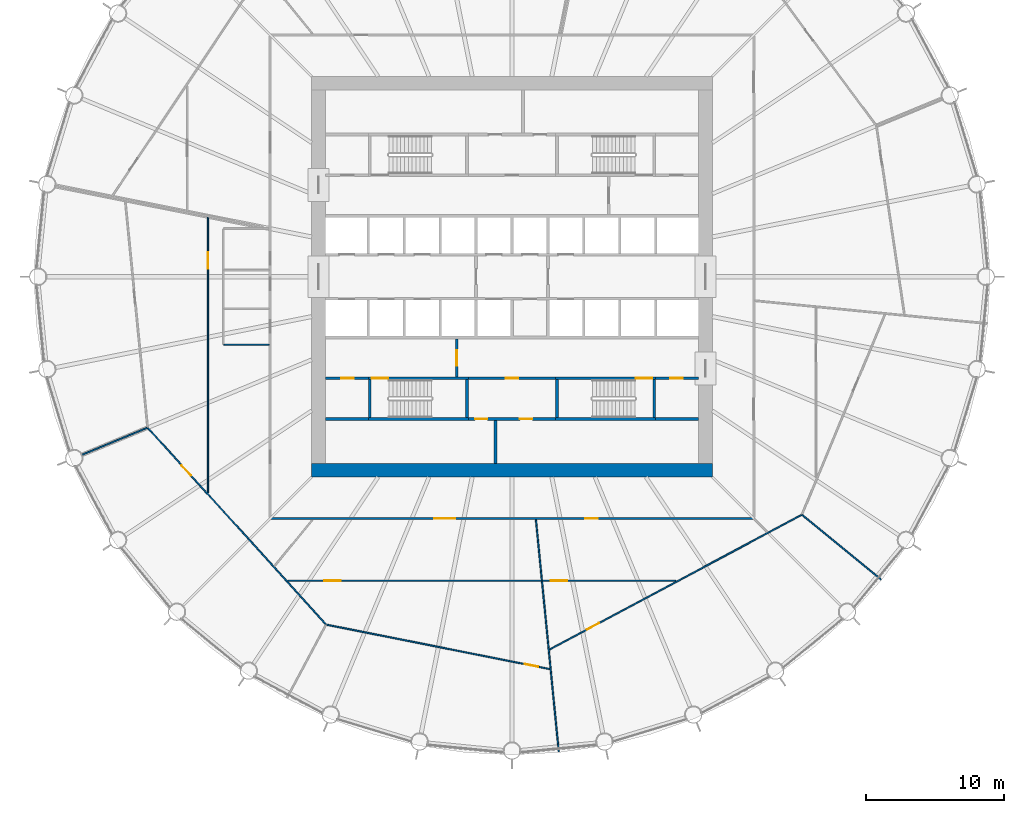
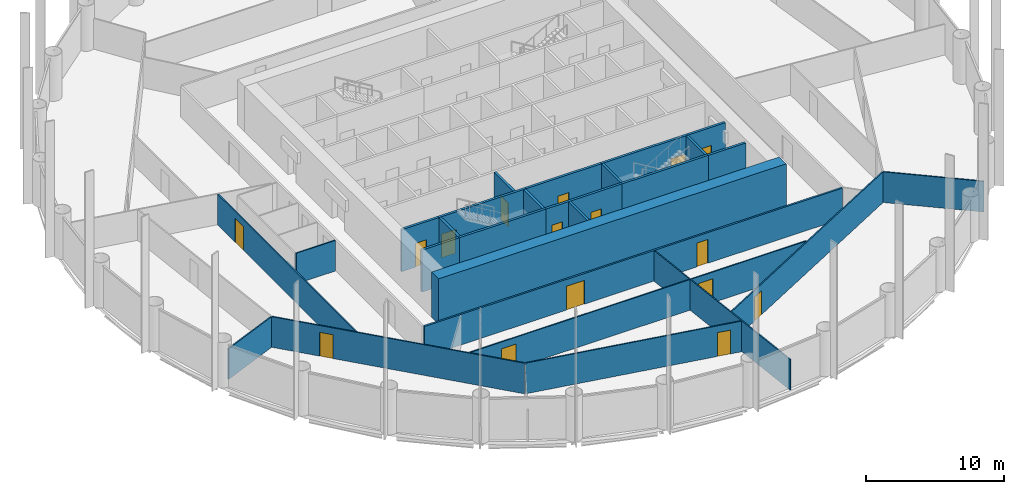
# One storey, part 4 of 10: 28 walls, 16 doors, 16 openings.
"""IFC4 building model written with IfcOpenShell, lengths in metres."""

import ifcopenshell
import ifcopenshell.guid

model = None  # the IFC model being written
_history = None  # IfcOwnerHistory: only IFC2X3 demands one
_inside = {}  # id of a spatial element -> (the spatial element, [elements in it])
_under = {}  # id of a project, library or spatial element -> (it, [spatial elements below it])
_declared = {}  # id of a project -> (the project, [libraries it declares])
_typed = {}  # id of a type object -> (the type object, [elements of that type])
_made_of = {}  # id of a material, layer set ... -> (it, [elements and type objects made of it])


def new_model(schema):
    """Start an empty IFC model of exactly this schema.

    Asked for "IFC4X3", IfcOpenShell would pick the latest addendum, in which some entities
    have other attributes; the version numbers below select the first issue.
    IFC2X3 requires an IfcOwnerHistory on every rooted entity: one is made here for all.
    """
    global model, _history
    if schema == "IFC4X3":
        model = ifcopenshell.file(schema_version=(4, 3, 0, 0))
    else:
        model = ifcopenshell.file(schema=schema)
    _inside.clear()
    _under.clear()
    _declared.clear()
    _typed.clear()
    _made_of.clear()
    _history = None
    if model.schema == "IFC2X3":
        org = make("IfcOrganization", Name="unknown")
        user = make(
            "IfcPersonAndOrganization",
            ThePerson=make("IfcPerson", FamilyName="unknown"),
            TheOrganization=org,
        )
        app = make(
            "IfcApplication",
            ApplicationDeveloper=org,
            Version="unknown",
            ApplicationFullName="unknown",
            ApplicationIdentifier="unknown",
        )
        _history = make(
            "IfcOwnerHistory",
            OwningUser=user,
            OwningApplication=app,
            ChangeAction="ADDED",
            CreationDate=0,
        )
    return model


def make(cls, **values):
    """One entity of the class cls with the attributes given. An attribute that is None is left unset."""
    return model.create_entity(
        cls, **{name: value for name, value in values.items() if value is not None}
    )


def rooted(cls, **values):
    """An entity with a GlobalId (a new one), such as an element, a storey or a relation."""
    return make(cls, GlobalId=ifcopenshell.guid.new(), OwnerHistory=_history, **values)


def si_unit(unit_type, name, prefix=None):
    """IfcSIUnit, for example si_unit("LENGTHUNIT", "METRE", prefix="MILLI")."""
    return make("IfcSIUnit", UnitType=unit_type, Prefix=prefix, Name=name)


def assignment(units):
    """IfcUnitAssignment: the units of a project."""
    return None if units is None else make("IfcUnitAssignment", Units=units)


def point(xyz):
    """IfcCartesianPoint."""
    return None if xyz is None else make("IfcCartesianPoint", Coordinates=xyz)


def direction(xyz):
    """IfcDirection."""
    return None if xyz is None else make("IfcDirection", DirectionRatios=xyz)


def frame(location, z_axis=None, x_axis=None):
    """IfcAxis2Placement3D, a coordinate frame: its origin and axes. An axis left out is left unset."""
    return make(
        "IfcAxis2Placement3D",
        Location=point(location),
        Axis=direction(z_axis),
        RefDirection=direction(x_axis),
    )


def frame_2d(location, x_axis=None):
    """IfcAxis2Placement2D, a coordinate frame in the plane: its origin and x axis."""
    return make(
        "IfcAxis2Placement2D", Location=point(location), RefDirection=direction(x_axis)
    )


def origin():
    """The frame at (0, 0, 0) with its axes left unset."""
    return frame((0.0, 0.0, 0.0))


def place(relative_to, where):
    """IfcLocalPlacement: puts the frame where relative to a parent placement (None: the world)."""
    return make(
        "IfcLocalPlacement", PlacementRelTo=relative_to, RelativePlacement=where
    )


def context(
    kind, dimensions, precision=None, world=None, true_north=None, identifier=None
):
    """IfcGeometricRepresentationContext, for example the 3D "Model" context."""
    return make(
        "IfcGeometricRepresentationContext",
        ContextIdentifier=identifier,
        ContextType=kind,
        CoordinateSpaceDimension=dimensions,
        Precision=precision,
        WorldCoordinateSystem=world,
        TrueNorth=true_north,
    )


def subcontext(parent, identifier, kind, view, scale=None):
    """IfcGeometricRepresentationSubContext, for example "Body" below "Model"."""
    return make(
        "IfcGeometricRepresentationSubContext",
        ContextIdentifier=identifier,
        ContextType=kind,
        ParentContext=parent,
        TargetScale=scale,
        TargetView=view,
    )


def project(units=None, contexts=None):
    """IfcProject with its units and contexts."""
    return rooted(
        "IfcProject",
        Name="project",
        RepresentationContexts=contexts,
        UnitsInContext=assignment(units),
    )


def spatial(cls, under=None, at=None, **own):
    """A site, building, storey or space (cls), placed at a placement, below another one or the project."""
    s = rooted(cls, ObjectPlacement=at, **own)
    if under is not None:
        _under.setdefault(under.id(), (under, []))[1].append(s)
    return s


def polyline(points):
    """IfcPolyline through the points."""
    return make("IfcPolyline", Points=[point(p) for p in points])


def profile(cls, at=None, kind="AREA", **sizes):
    """A parametric profile (cls). Its sizes go by their IFC names, for example OverallWidth=200.0."""
    return make(cls, ProfileType=kind, Position=at, **sizes)


def rectangle(**sizes):
    """IfcRectangleProfileDef."""
    return profile("IfcRectangleProfileDef", **sizes)


def outline(outer, holes=None, kind="AREA"):
    """IfcArbitraryClosedProfileDef: a profile drawn as a closed curve; with holes, ...WithVoids."""
    if holes is None:
        return make("IfcArbitraryClosedProfileDef", ProfileType=kind, OuterCurve=outer)
    return make(
        "IfcArbitraryProfileDefWithVoids",
        ProfileType=kind,
        OuterCurve=outer,
        InnerCurves=holes,
    )


def extrude(swept, where, along, depth):
    """IfcExtrudedAreaSolid: the profile swept, set in the frame where, extruded along a direction by depth."""
    return make(
        "IfcExtrudedAreaSolid",
        SweptArea=swept,
        Position=where,
        ExtrudedDirection=direction(along),
        Depth=depth,
    )


def shape(context_of_items, identifier, shape_type, items):
    """IfcShapeRepresentation: the items that make up one representation, for example the "Body"."""
    return make(
        "IfcShapeRepresentation",
        ContextOfItems=context_of_items,
        RepresentationIdentifier=identifier,
        RepresentationType=shape_type,
        Items=items,
    )


def material(Name=None, Category=None):
    """IfcMaterial."""
    return make("IfcMaterial", Name=Name, Category=Category)


def layer(
    of_material, thickness, ventilated=None, Name=None, Category=None, Priority=None
):
    """IfcMaterialLayer: one layer of a wall or slab, of a material (None: an air gap)."""
    return make(
        "IfcMaterialLayer",
        Material=of_material,
        LayerThickness=thickness,
        IsVentilated=ventilated,
        Name=Name,
        Category=Category,
        Priority=Priority,
    )


def layer_set(layers, Name=None):
    """IfcMaterialLayerSet."""
    return make("IfcMaterialLayerSet", MaterialLayers=layers, LayerSetName=Name)


def made_of(thing, what):
    """Note that an element or type object is made of a material, layer set ...; save() writes the relation."""
    if what is not None:
        _made_of.setdefault(what.id(), (what, []))[1].append(thing)
    return thing


def type_object(cls, material=None, **own):
    """A type object (cls), such as IfcWallType, which elements share."""
    return made_of(rooted(cls, **own), material)


def element(
    cls,
    number,
    at=None,
    inside=None,
    cuts=None,
    type_object=None,
    material=None,
    context=None,
    identifier="Body",
    shape_type=None,
    held_by="IfcProductDefinitionShape",
    body=None,
    shapes=None,
    **own,
):
    """One element of the class cls, such as IfcWall. Its Tag is "e" and its number.

    at: its placement. inside: the storey or other place that contains it. cuts: it is an
    opening in that element (IfcRelVoidsElement). A single representation is given by context,
    identifier, shape_type and body (its items); several are given by shapes. held_by: the class
    of the entity that holds the representations. save() writes the other relations.
    """
    e = rooted(cls, Tag="e%d" % number, ObjectPlacement=at, **own)
    if body is not None:
        shapes = [shape(context, identifier, shape_type, body)]
    if shapes is not None:
        e.Representation = make(held_by, Representations=shapes)
    if inside is not None:
        _inside.setdefault(inside.id(), (inside, []))[1].append(e)
    if cuts is not None:
        rooted(
            "IfcRelVoidsElement", RelatingBuildingElement=cuts, RelatedOpeningElement=e
        )
    if type_object is not None:
        _typed.setdefault(type_object.id(), (type_object, []))[1].append(e)
    return made_of(e, material)


def fill(opening, filler):
    """IfcRelFillsElement: the door or window that sits in an opening."""
    return rooted(
        "IfcRelFillsElement",
        RelatingOpeningElement=opening,
        RelatedBuildingElement=filler,
    )


def aggregate(whole, parts):
    """IfcRelAggregates: a whole, such as a stair, and the parts it consists of."""
    return rooted("IfcRelAggregates", RelatingObject=whole, RelatedObjects=parts)


def save(model, path):
    """Write the relations noted so far, then the file.

    IfcRelAggregates (storeys below a building ...), IfcRelContainedInSpatialStructure (elements
    in a storey), IfcRelDefinesByType, IfcRelAssociatesMaterial and IfcRelDeclares: one each for
    every whole, place, type object, material and project.
    """
    for whole, parts in _under.values():
        aggregate(whole, parts)
    for where, things in _inside.values():
        rooted(
            "IfcRelContainedInSpatialStructure",
            RelatedElements=things,
            RelatingStructure=where,
        )
    for kind, things in _typed.values():
        rooted("IfcRelDefinesByType", RelatedObjects=things, RelatingType=kind)
    for what, things in _made_of.values():
        rooted("IfcRelAssociatesMaterial", RelatedObjects=things, RelatingMaterial=what)
    for by, libraries in _declared.values():
        rooted("IfcRelDeclares", RelatingContext=by, RelatedDefinitions=libraries)
    model.write(path)


model = new_model("IFC4")

# Units and contexts
model_context = context("Model", 3, precision=1e-05, world=origin(), true_north=direction((0.0, 1.0)))
body_context = subcontext(model_context, "Body", "Model", "MODEL_VIEW")
ifc_project = project(units=[si_unit("LENGTHUNIT", "METRE"), si_unit("AREAUNIT", "SQUARE_METRE"), si_unit("VOLUMEUNIT", "CUBIC_METRE"), si_unit("PLANEANGLEUNIT", "RADIAN"), si_unit("MASSUNIT", "GRAM", prefix="KILO")], contexts=[model_context])

# Site, building, storey
site_placement = place(None, origin())
site = spatial("IfcSite", under=ifc_project, at=site_placement, CompositionType="ELEMENT")
building_placement = place(site_placement, origin())
building = spatial("IfcBuilding", under=site, at=building_placement, Name="Corvane Civic Tower", CompositionType="ELEMENT")
storey_placement = place(building_placement, frame((0.0, 0.0, 106.5)))
storey = spatial("IfcBuildingStorey", under=building, at=storey_placement, Name="L24", CompositionType="ELEMENT", Elevation=106.5)

# Wall
ifc_material_1 = material(Name="Concrete C70/85", Category="concrete")
ifc_layer_1 = layer(ifc_material_1, 1.0)
ifc_layer_set_1 = layer_set([ifc_layer_1], Name="Concrete C70/85")
wall_type_1 = type_object("IfcWallType", Name="CORE WALL 1000 C70/85", PredefinedType="SHEAR", material=ifc_layer_set_1)
wall_1_placement = place(storey_placement, frame((-14.5, -14.0, 0.0), z_axis=(0.0, 0.0, 1.0), x_axis=(1.0, 0.0, 0.0)))
element("IfcWall", 1, at=wall_1_placement, inside=storey, type_object=wall_type_1, Name="W-L24-core-S", PredefinedType="SHEAR", context=body_context, shape_type="SweptSolid", body=[
    extrude(rectangle(XDim=29.0, YDim=1.0, at=frame_2d((14.5, 0.0))), origin(), (0.0, 0.0, 1.0), 4.0),
])

# Wall, openings, doors
ifc_material_2 = material(Name="Concrete C30/37", Category="concrete")
ifc_layer_2 = layer(ifc_material_2, 0.199951171875)
ifc_layer_set_2 = layer_set([ifc_layer_2], Name="Concrete C30/37")
wall_type_2 = type_object("IfcWallType", Name="CR-WALL-200", PredefinedType="PARTITIONING", material=ifc_layer_set_2)
wall_2_placement = place(storey_placement, frame((-3.14990234375, -10.300048828125, 0.0), z_axis=(0.0, 0.0, 1.0), x_axis=(1.0, 0.0, 0.0)))
wall_2 = element("IfcWall", 2, at=wall_2_placement, inside=storey, type_object=wall_type_2, Name="L24 partition wall", PredefinedType="PARTITIONING", context=body_context, shape_type="SweptSolid", body=[
    extrude(rectangle(XDim=6.2998046875, YDim=0.199951171875, at=frame_2d((3.14990234375, 0.0))), origin(), (0.0, 0.0, 1.0), 3.699951171875),
])
opening_1_placement = place(wall_2_placement, frame((0.47509765625, 0.0, 0.0)))
opening_1 = element("IfcOpeningElement", 3, at=opening_1_placement, cuts=wall_2, Name="Opening L24.C06", PredefinedType="OPENING", context=body_context, shape_type="SweptSolid", body=[
    extrude(rectangle(XDim=0.89990234375, YDim=2.10009765625, at=frame_2d((0.449951171875, 1.050048828125))), frame((0.0, 0.10986328125, 0.0), z_axis=(0.0, -1.0, 0.0), x_axis=(1.0, 0.0, 0.0)), (0.0, 0.0, 1.0), 0.219970703125),
])
opening_2_placement = place(wall_2_placement, frame((3.72509765625, 0.0, 0.0)))
opening_2 = element("IfcOpeningElement", 4, at=opening_2_placement, cuts=wall_2, Name="Opening L24.C07", PredefinedType="OPENING", context=body_context, shape_type="SweptSolid", body=[
    extrude(rectangle(XDim=0.89990234375, YDim=2.10009765625, at=frame_2d((0.449951171875, 1.050048828125))), frame((0.0, 0.10986328125, 0.0), z_axis=(0.0, -1.0, 0.0), x_axis=(1.0, 0.0, 0.0)), (0.0, 0.0, 1.0), 0.219970703125),
])
ifc_material_3 = material(Name="Steel fire door leaf", Category="steel")
door_type_1 = type_object("IfcDoorType", Name="CR-DOOR-900", OperationType="SINGLE_SWING_LEFT", PredefinedType="DOOR", material=ifc_material_3)
door_1_placement = place(opening_1_placement, origin())
door_1 = element("IfcDoor", 5, at=door_1_placement, inside=storey, type_object=door_type_1, Name="L24 door", OperationType="SINGLE_SWING_LEFT", OverallHeight=2.10009765625, OverallWidth=0.89990234375, PredefinedType="DOOR", context=body_context, shape_type="SweptSolid", body=[
    extrude(rectangle(XDim=0.89990234375, YDim=2.10009765625, at=frame_2d((0.449951171875, 1.050048828125))), frame((0.0, 0.02490234375, 0.0), z_axis=(0.0, -1.0, 0.0), x_axis=(1.0, 0.0, 0.0)), (0.0, 0.0, 1.0), 0.050048828125),
])
fill(opening_1, door_1)
door_2_placement = place(opening_2_placement, origin())
door_2 = element("IfcDoor", 6, at=door_2_placement, inside=storey, type_object=door_type_1, Name="L24 door", OperationType="SINGLE_SWING_LEFT", OverallHeight=2.10009765625, OverallWidth=0.89990234375, PredefinedType="DOOR", context=body_context, shape_type="SweptSolid", body=[
    extrude(rectangle(XDim=0.89990234375, YDim=2.10009765625, at=frame_2d((0.449951171875, 1.050048828125))), frame((0.0, 0.02490234375, 0.0), z_axis=(0.0, -1.0, 0.0), x_axis=(1.0, 0.0, 0.0)), (0.0, 0.0, 1.0), 0.050048828125),
])
fill(opening_2, door_2)

# Wall, opening, door
wall_3_placement = place(storey_placement, frame((-13.5, -7.35009765625, 0.0), z_axis=(0.0, 0.0, 1.0), x_axis=(1.0, 0.0, 0.0)))
wall_3 = element("IfcWall", 7, at=wall_3_placement, inside=storey, type_object=wall_type_2, Name="L24 core partition wall", PredefinedType="PARTITIONING", context=body_context, shape_type="SweptSolid", body=[
    extrude(rectangle(XDim=3.10009765625, YDim=0.199951171875, at=frame_2d((1.550048828125, 0.0))), origin(), (0.0, 0.0, 1.0), 3.699951171875),
])
opening_3_placement = place(wall_3_placement, frame((1.14990234375, 0.0, 0.0)))
opening_3 = element("IfcOpeningElement", 8, at=opening_3_placement, cuts=wall_3, Name="Opening L24.C09", PredefinedType="OPENING", context=body_context, shape_type="SweptSolid", body=[
    extrude(rectangle(XDim=0.89990234375, YDim=2.10009765625, at=frame_2d((0.449951171875, 1.050048828125))), frame((0.0, 0.10986328125, 0.0), z_axis=(0.0, -1.0, 0.0), x_axis=(1.0, 0.0, 0.0)), (0.0, 0.0, 1.0), 0.219970703125),
])
door_3_placement = place(opening_3_placement, origin())
door_3 = element("IfcDoor", 9, at=door_3_placement, inside=storey, type_object=door_type_1, Name="L24 door", OperationType="SINGLE_SWING_LEFT", OverallHeight=2.10009765625, OverallWidth=0.89990234375, PredefinedType="DOOR", context=body_context, shape_type="SweptSolid", body=[
    extrude(rectangle(XDim=0.89990234375, YDim=2.10009765625, at=frame_2d((0.449951171875, 1.050048828125))), frame((0.0, 0.02490234375, 0.0), z_axis=(0.0, -1.0, 0.0), x_axis=(1.0, 0.0, 0.0)), (0.0, 0.0, 1.0), 0.050048828125),
])
fill(opening_3, door_3)

wall_4_placement = place(storey_placement, frame((-3.14990234375, -7.35009765625, 0.0), z_axis=(0.0, 0.0, 1.0), x_axis=(1.0, 0.0, 0.0)))
wall_4 = element("IfcWall", 10, at=wall_4_placement, inside=storey, type_object=wall_type_2, Name="L24 core partition wall", PredefinedType="PARTITIONING", context=body_context, shape_type="SweptSolid", body=[
    extrude(rectangle(XDim=6.2998046875, YDim=0.199951171875, at=frame_2d((3.14990234375, 0.0))), origin(), (0.0, 0.0, 1.0), 3.699951171875),
])
opening_4_placement = place(wall_4_placement, frame((2.699951171875, 0.0, 0.0)))
opening_4 = element("IfcOpeningElement", 11, at=opening_4_placement, cuts=wall_4, Name="Opening L24.C03", PredefinedType="OPENING", context=body_context, shape_type="SweptSolid", body=[
    extrude(rectangle(XDim=0.89990234375, YDim=2.10009765625, at=frame_2d((0.449951171875, 1.050048828125))), frame((0.0, 0.10986328125, 0.0), z_axis=(0.0, -1.0, 0.0), x_axis=(1.0, 0.0, 0.0)), (0.0, 0.0, 1.0), 0.219970703125),
])
door_4_placement = place(opening_4_placement, origin())
door_4 = element("IfcDoor", 12, at=door_4_placement, inside=storey, type_object=door_type_1, Name="L24 door", OperationType="SINGLE_SWING_LEFT", OverallHeight=2.10009765625, OverallWidth=0.89990234375, PredefinedType="DOOR", context=body_context, shape_type="SweptSolid", body=[
    extrude(rectangle(XDim=0.89990234375, YDim=2.10009765625, at=frame_2d((0.449951171875, 1.050048828125))), frame((0.0, 0.02490234375, 0.0), z_axis=(0.0, -1.0, 0.0), x_axis=(1.0, 0.0, 0.0)), (0.0, 0.0, 1.0), 0.050048828125),
])
fill(opening_4, door_4)

wall_5_placement = place(storey_placement, frame((10.39990234375, -7.35009765625, 0.0), z_axis=(0.0, 0.0, 1.0), x_axis=(1.0, 0.0, 0.0)))
wall_5 = element("IfcWall", 13, at=wall_5_placement, inside=storey, type_object=wall_type_2, Name="L24 core partition wall", PredefinedType="PARTITIONING", context=body_context, shape_type="SweptSolid", body=[
    extrude(rectangle(XDim=3.10009765625, YDim=0.199951171875, at=frame_2d((1.550048828125, 0.0))), origin(), (0.0, 0.0, 1.0), 3.699951171875),
])
opening_5_placement = place(wall_5_placement, frame((1.050048828125, 0.0, 0.0)))
opening_5 = element("IfcOpeningElement", 14, at=opening_5_placement, cuts=wall_5, Name="Opening L24.C11", PredefinedType="OPENING", context=body_context, shape_type="SweptSolid", body=[
    extrude(rectangle(XDim=0.89990234375, YDim=2.10009765625, at=frame_2d((0.449951171875, 1.050048828125))), frame((0.0, 0.10986328125, 0.0), z_axis=(0.0, -1.0, 0.0), x_axis=(1.0, 0.0, 0.0)), (0.0, 0.0, 1.0), 0.219970703125),
])
door_5_placement = place(opening_5_placement, origin())
door_5 = element("IfcDoor", 15, at=door_5_placement, inside=storey, type_object=door_type_1, Name="L24 door", OperationType="SINGLE_SWING_LEFT", OverallHeight=2.10009765625, OverallWidth=0.89990234375, PredefinedType="DOOR", context=body_context, shape_type="SweptSolid", body=[
    extrude(rectangle(XDim=0.89990234375, YDim=2.10009765625, at=frame_2d((0.449951171875, 1.050048828125))), frame((0.0, 0.02490234375, 0.0), z_axis=(0.0, -1.0, 0.0), x_axis=(1.0, 0.0, 0.0)), (0.0, 0.0, 1.0), 0.050048828125),
])
fill(opening_5, door_5)

wall_6_placement = place(storey_placement, frame((-4.0, -7.25, 0.0), z_axis=(0.0, 0.0, 1.0), x_axis=(0.0, 1.0, 0.0)))
wall_6 = element("IfcWall", 16, at=wall_6_placement, inside=storey, type_object=wall_type_2, Name="L24 core partition wall", PredefinedType="PARTITIONING", context=body_context, shape_type="SweptSolid", body=[
    extrude(rectangle(XDim=2.75, YDim=0.199951171875, at=frame_2d((1.375, 0.0))), origin(), (0.0, 0.0, 1.0), 3.699951171875),
])
opening_6_placement = place(wall_6_placement, frame((0.824951171875, 0.0, 0.0)))
opening_6 = element("IfcOpeningElement", 17, at=opening_6_placement, cuts=wall_6, Name="Opening L24.C19", PredefinedType="OPENING", context=body_context, shape_type="SweptSolid", body=[
    extrude(rectangle(XDim=1.10009765625, YDim=2.10009765625, at=frame_2d((0.550048828125, 1.050048828125))), frame((0.0, 0.10986328125, 0.0), z_axis=(0.0, -1.0, 0.0), x_axis=(1.0, 0.0, 0.0)), (0.0, 0.0, 1.0), 0.219970703125),
])
ifc_material_4 = material(Name="Steel fire door leaf", Category="steel")
door_type_2 = type_object("IfcDoorType", Name="CR-DOOR-FFL-1100", OperationType="SINGLE_SWING_LEFT", PredefinedType="DOOR", material=ifc_material_4)
door_6_placement = place(opening_6_placement, origin())
door_6 = element("IfcDoor", 18, at=door_6_placement, inside=storey, type_object=door_type_2, Name="L24 lobby door", OperationType="SINGLE_SWING_LEFT", OverallHeight=2.10009765625, OverallWidth=1.10009765625, PredefinedType="DOOR", context=body_context, shape_type="SweptSolid", body=[
    extrude(rectangle(XDim=1.10009765625, YDim=2.10009765625, at=frame_2d((0.550048828125, 1.050048828125))), frame((0.0, 0.02490234375, 0.0), z_axis=(0.0, -1.0, 0.0), x_axis=(1.0, 0.0, 0.0)), (0.0, 0.0, 1.0), 0.050048828125),
])
fill(opening_6, door_6)

# Walls
wall_7_placement = place(storey_placement, origin())
element("IfcWall", 19, at=wall_7_placement, inside=storey, type_object=wall_type_2, Name="L24 core partition wall", PredefinedType="PARTITIONING", context=body_context, shape_type="SweptSolid", body=[
    extrude(outline(polyline([(-10.39990234375, -10.39990234375), (-13.5, -10.39990234375), (-13.5, -10.199951171875), (-10.39990234375, -10.199951171875), (-10.39990234375, -10.39990234375)])), origin(), (0.0, 0.0, 1.0), 3.699951171875),
])
wall_8_placement = place(storey_placement, origin())
element("IfcWall", 20, at=wall_8_placement, inside=storey, type_object=wall_type_2, Name="L24 core partition wall", PredefinedType="PARTITIONING", context=body_context, shape_type="SweptSolid", body=[
    extrude(outline(polyline([(-1.10009765625, -10.39990234375), (-1.10009765625, -13.5), (-1.300048828125, -13.5), (-1.300048828125, -10.39990234375), (-1.10009765625, -10.39990234375)])), origin(), (0.0, 0.0, 1.0), 3.699951171875),
])
wall_9_placement = place(storey_placement, origin())
element("IfcWall", 21, at=wall_9_placement, inside=storey, type_object=wall_type_2, Name="L24 core partition wall", PredefinedType="PARTITIONING", context=body_context, shape_type="SweptSolid", body=[
    extrude(outline(polyline([(13.5, -10.39990234375), (10.39990234375, -10.39990234375), (10.39990234375, -10.199951171875), (13.5, -10.199951171875), (13.5, -10.39990234375)])), origin(), (0.0, 0.0, 1.0), 3.699951171875),
])
ifc_material_5 = material(Name="Plasterboard")
ifc_layer_3 = layer(ifc_material_5, 0.10009765625)
ifc_layer_set_3 = layer_set([ifc_layer_3], Name="Plasterboard")
wall_type_3 = type_object("IfcWallType", Name="Partition 100 plasterboard on studs", PredefinedType="PARTITIONING", material=ifc_layer_set_3)
wall_10_placement = place(storey_placement, frame((2.172119140625, -22.054931640625, 0.0), z_axis=(0.0, 0.0, 1.0), x_axis=(0.09802265645, -0.995184183366, 0.0)))
element("IfcWall", 22, at=wall_10_placement, inside=storey, type_object=wall_type_3, Name="Partition L24.001", PredefinedType="PARTITIONING", context=body_context, shape_type="SweptSolid", body=[
    extrude(rectangle(XDim=12.388427734375, YDim=0.10009765625, at=frame_2d((6.1943359375, 0.0))), origin(), (0.0, 0.0, 1.0), 2.699951171875),
])

# Wall, opening, door
wall_11_placement = place(storey_placement, frame((-13.418701171875, -25.1796875, 0.0), z_axis=(0.0, 0.0, 1.0), x_axis=(0.980783722721, -0.195098152849, 0.0)))
wall_11 = element("IfcWall", 23, at=wall_11_placement, inside=storey, type_object=wall_type_3, Name="Partition L24.003", PredefinedType="PARTITIONING", context=body_context, shape_type="SweptSolid", body=[
    extrude(rectangle(XDim=16.466796875, YDim=0.10009765625, at=frame_2d((8.2333984375, 0.0))), origin(), (0.0, 0.0, 1.0), 2.699951171875),
])
opening_7_placement = place(wall_11_placement, frame((14.620361328125, 0.0, 0.0)))
opening_7 = element("IfcOpeningElement", 24, at=opening_7_placement, cuts=wall_11, Name="Opening L24.011", PredefinedType="OPENING", context=body_context, shape_type="SweptSolid", body=[
    extrude(rectangle(XDim=1.0, YDim=2.10009765625, at=frame_2d((0.5, 1.050048828125))), frame((0.0, 0.06005859375, 0.0), z_axis=(0.0, -1.0, 0.0), x_axis=(1.0, 0.0, 0.0)), (0.0, 0.0, 1.0), 0.1201171875),
])
ifc_material_6 = material(Name="Timber", Category="wood")
door_type_3 = type_object("IfcDoorType", Name="Single door 1000", OperationType="NOTDEFINED", PredefinedType="DOOR", material=ifc_material_6)
door_7_placement = place(opening_7_placement, frame((1.0, 0.0, 0.0), z_axis=(0.0, 0.0, 1.0), x_axis=(-1.0, 0.0, 0.0)))
door_7 = element("IfcDoor", 25, at=door_7_placement, inside=storey, type_object=door_type_3, Name="Door L24.011", OperationType="SINGLE_SWING_RIGHT", OverallHeight=2.10009765625, OverallWidth=1.0, PredefinedType="DOOR", context=body_context, shape_type="SweptSolid", body=[
    extrude(rectangle(XDim=1.0, YDim=2.10009765625, at=frame_2d((0.5, 1.050048828125))), frame((0.0, 0.02490234375, 0.0), z_axis=(0.0, -1.0, 0.0), x_axis=(1.0, 0.0, 0.0)), (0.0, 0.0, 1.0), 0.050048828125),
])
fill(opening_7, door_7)

wall_12_placement = place(storey_placement, frame((2.726318359375, -26.975341796875, 0.0), z_axis=(0.0, 0.0, 1.0), x_axis=(0.881924809463, 0.471390104323, 0.0)))
wall_12 = element("IfcWall", 26, at=wall_12_placement, inside=storey, type_object=wall_type_3, Name="Partition L24.004", PredefinedType="PARTITIONING", context=body_context, shape_type="SweptSolid", body=[
    extrude(rectangle(XDim=20.664794921875, YDim=0.10009765625, at=frame_2d((10.33251953125, 0.0))), origin(), (0.0, 0.0, 1.0), 2.699951171875),
])
opening_8_placement = place(wall_12_placement, frame((3.060302734375, 0.0, 0.0)))
opening_8 = element("IfcOpeningElement", 27, at=opening_8_placement, cuts=wall_12, Name="Opening L24.006", PredefinedType="OPENING", context=body_context, shape_type="SweptSolid", body=[
    extrude(rectangle(XDim=1.0, YDim=2.10009765625, at=frame_2d((0.5, 1.050048828125))), frame((0.0, 0.06005859375, 0.0), z_axis=(0.0, -1.0, 0.0), x_axis=(1.0, 0.0, 0.0)), (0.0, 0.0, 1.0), 0.1201171875),
])
door_8_placement = place(opening_8_placement, frame((1.0, 0.0, 0.0), z_axis=(0.0, 0.0, 1.0), x_axis=(-1.0, 0.0, 0.0)))
door_8 = element("IfcDoor", 28, at=door_8_placement, inside=storey, type_object=door_type_3, Name="Door L24.006", OperationType="SINGLE_SWING_LEFT", OverallHeight=2.10009765625, OverallWidth=1.0, PredefinedType="DOOR", context=body_context, shape_type="SweptSolid", body=[
    extrude(rectangle(XDim=1.0, YDim=2.10009765625, at=frame_2d((0.5, 1.050048828125))), frame((0.0, 0.02490234375, 0.0), z_axis=(0.0, -1.0, 0.0), x_axis=(1.0, 0.0, 0.0)), (0.0, 0.0, 1.0), 0.050048828125),
])
fill(opening_8, door_8)

wall_13_placement = place(storey_placement, frame((-26.3466796875, -10.94921875, 0.0), z_axis=(0.0, 0.0, 1.0), x_axis=(0.671566645521, -0.740944154862, 0.0)))
wall_13 = element("IfcWall", 29, at=wall_13_placement, inside=storey, type_object=wall_type_3, Name="Partition L24.005", PredefinedType="PARTITIONING", context=body_context, shape_type="SweptSolid", body=[
    extrude(rectangle(XDim=19.1611328125, YDim=0.10009765625, at=frame_2d((9.58056640625, 0.0))), origin(), (0.0, 0.0, 1.0), 2.699951171875),
])
opening_9_placement = place(wall_13_placement, frame((3.641357421875, 0.0, 0.0)))
opening_9 = element("IfcOpeningElement", 30, at=opening_9_placement, cuts=wall_13, Name="Opening L24.012", PredefinedType="OPENING", context=body_context, shape_type="SweptSolid", body=[
    extrude(rectangle(XDim=1.0, YDim=2.10009765625, at=frame_2d((0.5, 1.050048828125))), frame((0.0, 0.06005859375, 0.0), z_axis=(0.0, -1.0, 0.0), x_axis=(1.0, 0.0, 0.0)), (0.0, 0.0, 1.0), 0.1201171875),
])
door_9_placement = place(opening_9_placement, frame((1.0, 0.0, 0.0), z_axis=(0.0, 0.0, 1.0), x_axis=(-1.0, 0.0, 0.0)))
door_9 = element("IfcDoor", 31, at=door_9_placement, inside=storey, type_object=door_type_3, Name="Door L24.012", OperationType="SINGLE_SWING_LEFT", OverallHeight=2.10009765625, OverallWidth=1.0, PredefinedType="DOOR", context=body_context, shape_type="SweptSolid", body=[
    extrude(rectangle(XDim=1.0, YDim=2.10009765625, at=frame_2d((0.5, 1.050048828125))), frame((0.0, 0.02490234375, 0.0), z_axis=(0.0, -1.0, 0.0), x_axis=(1.0, 0.0, 0.0)), (0.0, 0.0, 1.0), 0.050048828125),
])
fill(opening_9, door_9)

# Wall, openings, doors
wall_14_placement = place(storey_placement, frame((-16.2177734375, -22.0, 0.0), z_axis=(0.0, 0.0, 1.0), x_axis=(1.0, 0.0, 0.0)))
wall_14 = element("IfcWall", 32, at=wall_14_placement, inside=storey, type_object=wall_type_3, Name="Partition L24.006", PredefinedType="PARTITIONING", context=body_context, shape_type="SweptSolid", body=[
    extrude(rectangle(XDim=28.052734375, YDim=0.10009765625, at=frame_2d((14.0263671875, 0.0))), origin(), (0.0, 0.0, 1.0), 2.699951171875),
])
opening_10_placement = place(wall_14_placement, frame((19.031494140625, 0.0, 0.0)))
opening_10 = element("IfcOpeningElement", 33, at=opening_10_placement, cuts=wall_14, Name="Opening L24.007", PredefinedType="OPENING", context=body_context, shape_type="SweptSolid", body=[
    extrude(rectangle(XDim=1.199951171875, YDim=2.10009765625, at=frame_2d((0.60009765625, 1.050048828125))), frame((0.0, 0.06005859375, 0.0), z_axis=(0.0, -1.0, 0.0), x_axis=(1.0, 0.0, 0.0)), (0.0, 0.0, 1.0), 0.1201171875),
])
opening_11_placement = place(wall_14_placement, frame((2.625, 0.0, 0.0)))
opening_11 = element("IfcOpeningElement", 34, at=opening_11_placement, cuts=wall_14, Name="Opening L24.014", PredefinedType="OPENING", context=body_context, shape_type="SweptSolid", body=[
    extrude(rectangle(XDim=1.199951171875, YDim=2.10009765625, at=frame_2d((0.60009765625, 1.050048828125))), frame((0.0, 0.06005859375, 0.0), z_axis=(0.0, -1.0, 0.0), x_axis=(1.0, 0.0, 0.0)), (0.0, 0.0, 1.0), 0.1201171875),
])
ifc_material_7 = material(Name="Timber", Category="wood")
door_type_4 = type_object("IfcDoorType", Name="Double door 1200", OperationType="NOTDEFINED", PredefinedType="DOOR", material=ifc_material_7)
door_10_placement = place(opening_10_placement, frame((1.199951171875, 0.0, 0.0), z_axis=(0.0, 0.0, 1.0), x_axis=(-1.0, 0.0, 0.0)))
door_10 = element("IfcDoor", 35, at=door_10_placement, inside=storey, type_object=door_type_4, Name="Door L24.007", OperationType="DOUBLE_DOOR_SINGLE_SWING", OverallHeight=2.10009765625, OverallWidth=1.199951171875, PredefinedType="DOOR", context=body_context, shape_type="SweptSolid", body=[
    extrude(rectangle(XDim=1.199951171875, YDim=2.10009765625, at=frame_2d((0.60009765625, 1.050048828125))), frame((0.0, 0.02490234375, 0.0), z_axis=(0.0, -1.0, 0.0), x_axis=(1.0, 0.0, 0.0)), (0.0, 0.0, 1.0), 0.050048828125),
])
fill(opening_10, door_10)
door_11_placement = place(opening_11_placement, frame((1.199951171875, 0.0, 0.0), z_axis=(0.0, 0.0, 1.0), x_axis=(-1.0, 0.0, 0.0)))
door_11 = element("IfcDoor", 36, at=door_11_placement, inside=storey, type_object=door_type_4, Name="Door L24.014", OperationType="DOUBLE_DOOR_SINGLE_SWING", OverallHeight=2.10009765625, OverallWidth=1.199951171875, PredefinedType="DOOR", context=body_context, shape_type="SweptSolid", body=[
    extrude(rectangle(XDim=1.199951171875, YDim=2.10009765625, at=frame_2d((0.60009765625, 1.050048828125))), frame((0.0, 0.02490234375, 0.0), z_axis=(0.0, -1.0, 0.0), x_axis=(1.0, 0.0, 0.0)), (0.0, 0.0, 1.0), 0.050048828125),
])
fill(opening_11, door_11)

# Walls
wall_15_placement = place(storey_placement, frame((1.7314453125, -17.579833984375, 0.0), z_axis=(0.0, 0.0, 1.0), x_axis=(0.098017353968, -0.995184705631, 0.0)))
element("IfcWall", 37, at=wall_15_placement, inside=storey, type_object=wall_type_3, Name="Partition L24.007", PredefinedType="PARTITIONING", context=body_context, shape_type="SweptSolid", body=[
    extrude(rectangle(XDim=4.391357421875, YDim=0.10009765625, at=frame_2d((2.19580078125, 0.0))), origin(), (0.0, 0.0, 1.0), 2.699951171875),
])
wall_16_placement = place(storey_placement, frame((21.00927734375, -17.241943359375, 0.0), z_axis=(0.0, 0.0, 1.0), x_axis=(0.77301798358, -0.634384108456, 0.0)))
element("IfcWall", 38, at=wall_16_placement, inside=storey, type_object=wall_type_3, Name="Partition L24.008", PredefinedType="PARTITIONING", context=body_context, shape_type="SweptSolid", body=[
    extrude(rectangle(XDim=7.371826171875, YDim=0.10009765625, at=frame_2d((3.68603515625, 0.0))), origin(), (0.0, 0.0, 1.0), 2.699951171875),
])

# Wall, opening, door
wall_17_placement = place(storey_placement, frame((-22.0, -15.615234375, 0.0), z_axis=(0.0, 0.0, 1.0), x_axis=(0.0, 1.0, 0.0)))
wall_17 = element("IfcWall", 39, at=wall_17_placement, inside=storey, type_object=wall_type_3, Name="Partition L24.015", PredefinedType="PARTITIONING", context=body_context, shape_type="SweptSolid", body=[
    extrude(rectangle(XDim=19.930419921875, YDim=0.10009765625, at=frame_2d((9.96533203125, 0.0))), origin(), (0.0, 0.0, 1.0), 2.699951171875),
])
opening_12_placement = place(wall_17_placement, frame((16.201171875, 0.0, 0.0)))
opening_12 = element("IfcOpeningElement", 40, at=opening_12_placement, cuts=wall_17, Name="Opening L24.015", PredefinedType="OPENING", context=body_context, shape_type="SweptSolid", body=[
    extrude(rectangle(XDim=1.199951171875, YDim=2.10009765625, at=frame_2d((0.60009765625, 1.050048828125))), frame((0.0, 0.06005859375, 0.0), z_axis=(0.0, -1.0, 0.0), x_axis=(1.0, 0.0, 0.0)), (0.0, 0.0, 1.0), 0.1201171875),
])
door_12_placement = place(opening_12_placement, origin())
door_12 = element("IfcDoor", 41, at=door_12_placement, inside=storey, type_object=door_type_4, Name="Door L24.015", OperationType="DOUBLE_DOOR_SINGLE_SWING", OverallHeight=2.10009765625, OverallWidth=1.199951171875, PredefinedType="DOOR", context=body_context, shape_type="SweptSolid", body=[
    extrude(rectangle(XDim=1.199951171875, YDim=2.10009765625, at=frame_2d((0.60009765625, 1.050048828125))), frame((0.0, 0.02490234375, 0.0), z_axis=(0.0, -1.0, 0.0), x_axis=(1.0, 0.0, 0.0)), (0.0, 0.0, 1.0), 0.050048828125),
])
fill(opening_12, door_12)

# Walls
wall_18_placement = place(storey_placement, frame((-31.102294921875, -12.883056640625, 0.0), z_axis=(0.0, 0.0, 1.0), x_axis=(0.923884580387, 0.382671245488, 0.0)))
element("IfcWall", 42, at=wall_18_placement, inside=storey, type_object=wall_type_3, Name="Partition L24.017", PredefinedType="PARTITIONING", context=body_context, shape_type="SweptSolid", body=[
    extrude(rectangle(XDim=5.084716796875, YDim=0.10009765625, at=frame_2d((2.54248046875, 0.0))), origin(), (0.0, 0.0, 1.0), 2.699951171875),
])
wall_19_placement = place(storey_placement, frame((-20.85009765625, -4.9189453125, 0.0), z_axis=(0.0, 0.0, 1.0), x_axis=(1.0, 0.0, 0.0)))
element("IfcWall", 43, at=wall_19_placement, inside=storey, type_object=wall_type_3, Name="Partition L24.019", PredefinedType="PARTITIONING", context=body_context, shape_type="SweptSolid", body=[
    extrude(rectangle(XDim=3.275146484375, YDim=0.10009765625, at=frame_2d((1.6376953125, 0.0))), origin(), (0.0, 0.0, 1.0), 2.699951171875),
])

# Wall, opening, door
ifc_material_8 = material(Name="Concrete C50/60", Category="concrete")
ifc_layer_4 = layer(ifc_material_8, 0.199951171875)
ifc_layer_set_4 = layer_set([ifc_layer_4], Name="Concrete C50/60")
wall_type_4 = type_object("IfcWallType", Name="ST-WALL-200", PredefinedType="SHEAR", material=ifc_layer_set_4)
wall_20_placement = place(storey_placement, frame((-10.39990234375, -7.35009765625, 0.0), z_axis=(0.0, 0.0, 1.0), x_axis=(1.0, 0.0, 0.0)))
wall_20 = element("IfcWall", 44, at=wall_20_placement, inside=storey, type_object=wall_type_4, Name="L24 stair enclosure wall", PredefinedType="SHEAR", context=body_context, shape_type="SweptSolid", body=[
    extrude(rectangle(XDim=7.25, YDim=0.199951171875, at=frame_2d((3.625, 0.0))), origin(), (0.0, 0.0, 1.0), 3.699951171875),
])
opening_13_placement = place(wall_20_placement, frame((0.25, 0.0, 0.0)))
opening_13 = element("IfcOpeningElement", 45, at=opening_13_placement, cuts=wall_20, Name="Opening L24.C15", PredefinedType="OPENING", context=body_context, shape_type="SweptSolid", body=[
    extrude(rectangle(XDim=1.199951171875, YDim=2.10009765625, at=frame_2d((0.60009765625, 1.050048828125))), frame((0.0, 0.10986328125, 0.0), z_axis=(0.0, -1.0, 0.0), x_axis=(1.0, 0.0, 0.0)), (0.0, 0.0, 1.0), 0.219970703125),
])
ifc_material_9 = material(Name="Steel fire door leaf", Category="steel")
door_type_5 = type_object("IfcDoorType", Name="ST-DOOR-1200", OperationType="SINGLE_SWING_RIGHT", PredefinedType="DOOR", material=ifc_material_9)
door_13_placement = place(opening_13_placement, origin())
door_13 = element("IfcDoor", 46, at=door_13_placement, inside=storey, type_object=door_type_5, Name="L24 stair door", OperationType="SINGLE_SWING_RIGHT", OverallHeight=2.10009765625, OverallWidth=1.199951171875, PredefinedType="DOOR", context=body_context, shape_type="SweptSolid", body=[
    extrude(rectangle(XDim=1.199951171875, YDim=2.10009765625, at=frame_2d((0.60009765625, 1.050048828125))), frame((0.0, 0.02490234375, 0.0), z_axis=(0.0, -1.0, 0.0), x_axis=(1.0, 0.0, 0.0)), (0.0, 0.0, 1.0), 0.050048828125),
])
fill(opening_13, door_13)

wall_21_placement = place(storey_placement, frame((3.14990234375, -7.35009765625, 0.0), z_axis=(0.0, 0.0, 1.0), x_axis=(1.0, 0.0, 0.0)))
wall_21 = element("IfcWall", 47, at=wall_21_placement, inside=storey, type_object=wall_type_4, Name="L24 stair enclosure wall", PredefinedType="SHEAR", context=body_context, shape_type="SweptSolid", body=[
    extrude(rectangle(XDim=7.25, YDim=0.199951171875, at=frame_2d((3.625, 0.0))), origin(), (0.0, 0.0, 1.0), 3.699951171875),
])
opening_14_placement = place(wall_21_placement, frame((5.800048828125, 0.0, 0.0)))
opening_14 = element("IfcOpeningElement", 48, at=opening_14_placement, cuts=wall_21, Name="Opening L24.C14", PredefinedType="OPENING", context=body_context, shape_type="SweptSolid", body=[
    extrude(rectangle(XDim=1.199951171875, YDim=2.10009765625, at=frame_2d((0.60009765625, 1.050048828125))), frame((0.0, 0.10986328125, 0.0), z_axis=(0.0, -1.0, 0.0), x_axis=(1.0, 0.0, 0.0)), (0.0, 0.0, 1.0), 0.219970703125),
])
door_14_placement = place(opening_14_placement, origin())
door_14 = element("IfcDoor", 49, at=door_14_placement, inside=storey, type_object=door_type_5, Name="L24 stair door", OperationType="SINGLE_SWING_RIGHT", OverallHeight=2.10009765625, OverallWidth=1.199951171875, PredefinedType="DOOR", context=body_context, shape_type="SweptSolid", body=[
    extrude(rectangle(XDim=1.199951171875, YDim=2.10009765625, at=frame_2d((0.60009765625, 1.050048828125))), frame((0.0, 0.02490234375, 0.0), z_axis=(0.0, -1.0, 0.0), x_axis=(1.0, 0.0, 0.0)), (0.0, 0.0, 1.0), 0.050048828125),
])
fill(opening_14, door_14)

# Walls
wall_22_placement = place(storey_placement, origin())
element("IfcWall", 50, at=wall_22_placement, inside=storey, type_object=wall_type_4, Name="L24 stair enclosure wall", PredefinedType="SHEAR", context=body_context, shape_type="SweptSolid", body=[
    extrude(outline(polyline([(-3.14990234375, -10.199951171875), (-3.14990234375, -10.39990234375), (-10.39990234375, -10.39990234375), (-10.39990234375, -10.199951171875), (-3.14990234375, -10.199951171875)])), origin(), (0.0, 0.0, 1.0), 3.699951171875),
])
wall_23_placement = place(storey_placement, origin())
element("IfcWall", 51, at=wall_23_placement, inside=storey, type_object=wall_type_4, Name="L24 stair enclosure wall", PredefinedType="SHEAR", context=body_context, shape_type="SweptSolid", body=[
    extrude(outline(polyline([(10.39990234375, -10.39990234375), (3.14990234375, -10.39990234375), (3.14990234375, -10.199951171875), (10.39990234375, -10.199951171875), (10.39990234375, -10.39990234375)])), origin(), (0.0, 0.0, 1.0), 3.699951171875),
])
wall_24_placement = place(storey_placement, origin())
element("IfcWall", 52, at=wall_24_placement, inside=storey, type_object=wall_type_4, Name="L24 stair enclosure wall", PredefinedType="SHEAR", context=body_context, shape_type="SweptSolid", body=[
    extrude(outline(polyline([(-3.14990234375, -7.449951171875), (-3.14990234375, -10.199951171875), (-3.35009765625, -10.199951171875), (-3.35009765625, -7.449951171875), (-3.14990234375, -7.449951171875)])), origin(), (0.0, 0.0, 1.0), 3.699951171875),
])
wall_25_placement = place(storey_placement, origin())
element("IfcWall", 53, at=wall_25_placement, inside=storey, type_object=wall_type_4, Name="L24 stair enclosure wall", PredefinedType="SHEAR", context=body_context, shape_type="SweptSolid", body=[
    extrude(outline(polyline([(3.35009765625, -7.449951171875), (3.35009765625, -10.199951171875), (3.14990234375, -10.199951171875), (3.14990234375, -7.449951171875), (3.35009765625, -7.449951171875)])), origin(), (0.0, 0.0, 1.0), 3.699951171875),
])
wall_26_placement = place(storey_placement, origin())
element("IfcWall", 54, at=wall_26_placement, inside=storey, type_object=wall_type_4, Name="L24 stair enclosure wall", PredefinedType="SHEAR", context=body_context, shape_type="SweptSolid", body=[
    extrude(outline(polyline([(-10.199951171875, -7.449951171875), (-10.199951171875, -10.199951171875), (-10.39990234375, -10.199951171875), (-10.39990234375, -7.449951171875), (-10.199951171875, -7.449951171875)])), origin(), (0.0, 0.0, 1.0), 3.699951171875),
])
wall_27_placement = place(storey_placement, origin())
element("IfcWall", 55, at=wall_27_placement, inside=storey, type_object=wall_type_4, Name="L24 stair enclosure wall", PredefinedType="SHEAR", context=body_context, shape_type="SweptSolid", body=[
    extrude(outline(polyline([(10.39990234375, -7.449951171875), (10.39990234375, -10.199951171875), (10.199951171875, -10.199951171875), (10.199951171875, -7.449951171875), (10.39990234375, -7.449951171875)])), origin(), (0.0, 0.0, 1.0), 3.699951171875),
])

# Wall, openings, doors
ifc_material_10 = material(Name="Plasterboard")
ifc_layer_5 = layer(ifc_material_10, 0.14990234375)
ifc_layer_set_5 = layer_set([ifc_layer_5], Name="Plasterboard")
wall_type_5 = type_object("IfcWallType", Name="Tenancy wall 150 EI 60", PredefinedType="PARTITIONING", material=ifc_layer_set_5)
wall_28_placement = place(storey_placement, frame((-17.425048828125, -17.5, 0.0), z_axis=(0.0, 0.0, 1.0), x_axis=(1.0, 0.0, 0.0)))
wall_28 = element("IfcWall", 56, at=wall_28_placement, inside=storey, type_object=wall_type_5, Name="Partition L24.011", PredefinedType="PARTITIONING", context=body_context, shape_type="SweptSolid", body=[
    extrude(rectangle(XDim=34.85009765625, YDim=0.14990234375, at=frame_2d((17.425048828125, 0.0))), origin(), (0.0, 0.0, 1.0), 2.699951171875),
])
opening_15_placement = place(wall_28_placement, frame((22.724609375, 0.0, 0.0)))
opening_15 = element("IfcOpeningElement", 57, at=opening_15_placement, cuts=wall_28, Name="Opening L24.010", PredefinedType="OPENING", context=body_context, shape_type="SweptSolid", body=[
    extrude(rectangle(XDim=0.89990234375, YDim=2.10009765625, at=frame_2d((0.449951171875, 1.050048828125))), frame((0.0, 0.0849609375, 0.0), z_axis=(0.0, -1.0, 0.0), x_axis=(1.0, 0.0, 0.0)), (0.0, 0.0, 1.0), 0.169921875),
])
opening_16_placement = place(wall_28_placement, frame((11.811279296875, 0.0, 0.0)))
opening_16 = element("IfcOpeningElement", 58, at=opening_16_placement, cuts=wall_28, Name="Opening L24.016", PredefinedType="OPENING", context=body_context, shape_type="SweptSolid", body=[
    extrude(rectangle(XDim=1.5, YDim=2.10009765625, at=frame_2d((0.75, 1.050048828125))), frame((0.0, 0.0849609375, 0.0), z_axis=(0.0, -1.0, 0.0), x_axis=(1.0, 0.0, 0.0)), (0.0, 0.0, 1.0), 0.169921875),
])
ifc_material_11 = material(Name="Steel and timber", Category="steel")
door_type_6 = type_object("IfcDoorType", Name="Fire door FD30S 900", OperationType="NOTDEFINED", PredefinedType="DOOR", material=ifc_material_11)
door_15_placement = place(opening_15_placement, frame((0.89990234375, 0.0, 0.0), z_axis=(0.0, 0.0, 1.0), x_axis=(-1.0, 0.0, 0.0)))
door_15 = element("IfcDoor", 59, at=door_15_placement, inside=storey, type_object=door_type_6, Name="Door L24.010", OperationType="SINGLE_SWING_LEFT", OverallHeight=2.10009765625, OverallWidth=0.89990234375, PredefinedType="DOOR", context=body_context, shape_type="SweptSolid", body=[
    extrude(rectangle(XDim=0.89990234375, YDim=2.10009765625, at=frame_2d((0.449951171875, 1.050048828125))), frame((0.0, 0.02490234375, 0.0), z_axis=(0.0, -1.0, 0.0), x_axis=(1.0, 0.0, 0.0)), (0.0, 0.0, 1.0), 0.050048828125),
])
fill(opening_15, door_15)
ifc_material_12 = material(Name="Steel and timber", Category="steel")
door_type_7 = type_object("IfcDoorType", Name="Fire door FD60 double 1500", OperationType="NOTDEFINED", PredefinedType="DOOR", material=ifc_material_12)
door_16_placement = place(opening_16_placement, frame((1.5, 0.0, 0.0), z_axis=(0.0, 0.0, 1.0), x_axis=(-1.0, 0.0, 0.0)))
door_16 = element("IfcDoor", 60, at=door_16_placement, inside=storey, type_object=door_type_7, Name="Door L24.016", OperationType="DOUBLE_DOOR_SINGLE_SWING", OverallHeight=2.10009765625, OverallWidth=1.5, PredefinedType="DOOR", context=body_context, shape_type="SweptSolid", body=[
    extrude(rectangle(XDim=1.5, YDim=2.10009765625, at=frame_2d((0.75, 1.050048828125))), frame((0.0, 0.02490234375, 0.0), z_axis=(0.0, -1.0, 0.0), x_axis=(1.0, 0.0, 0.0)), (0.0, 0.0, 1.0), 0.050048828125),
])
fill(opening_16, door_16)

save(model, "model.ifc")
